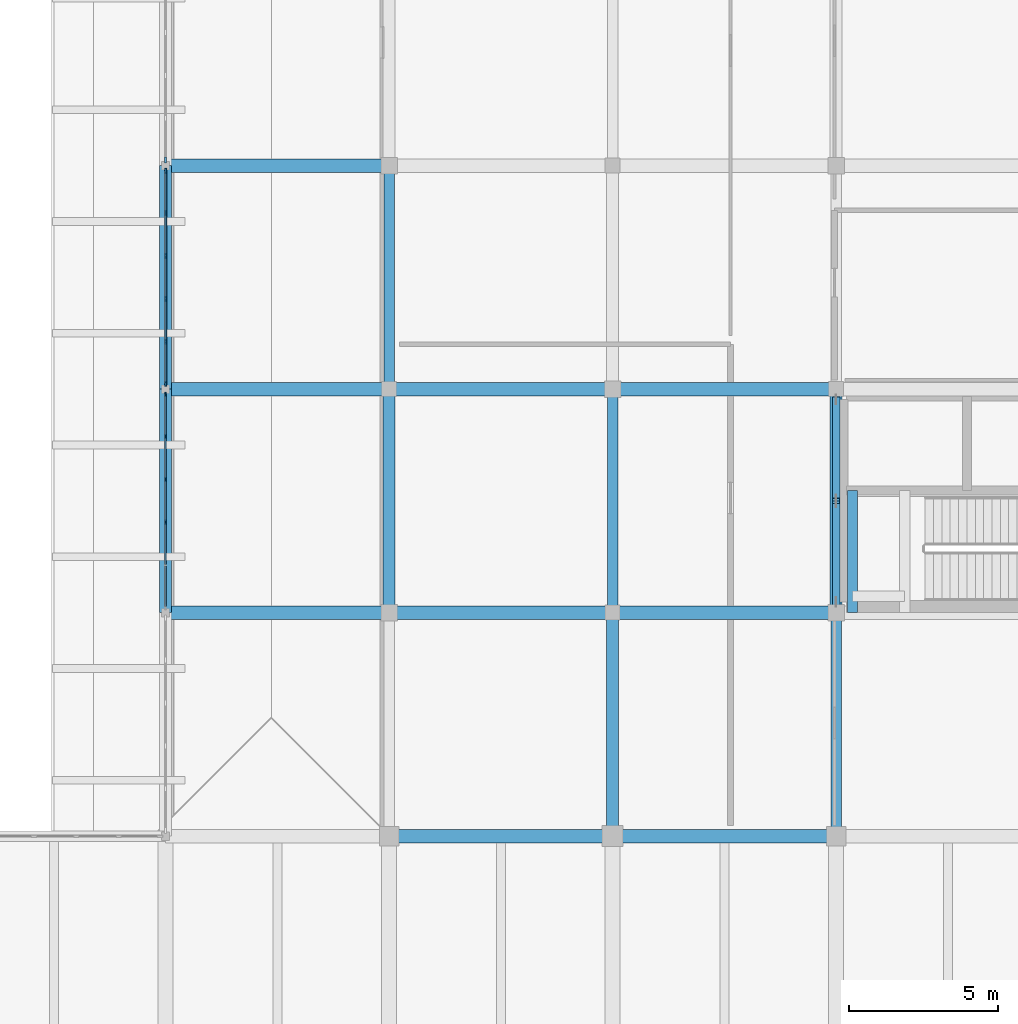
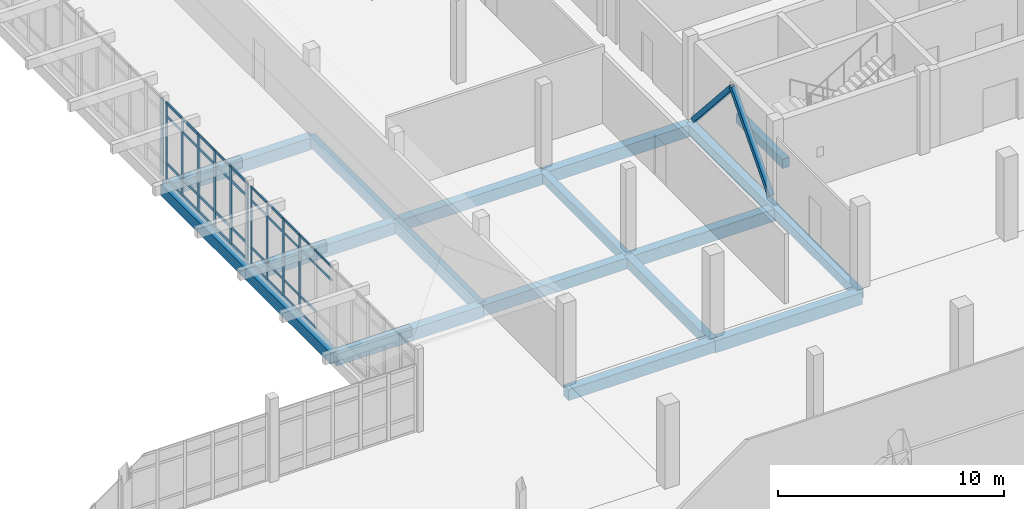
# One storey, part 61 of 128: 51 members, 18 beams, 3 elements without a shape of their own.
"""IFC4 building model written with IfcOpenShell, lengths in metres."""

from ifc_helpers import new_model, si_unit, direction, frame, origin, origin_2d, place, context, subcontext, project, spatial, rectangle, hollow_rectangle, extrude, material, layer, layer_set, material_profile, profile_set, type_object, element, aggregate, save


model = new_model("IFC4")

# Units and contexts
model_context = context("Model", 3, precision=1e-05, world=origin(), true_north=direction((0.0, 1.0)))
body_context = subcontext(model_context, "Body", "Model", "MODEL_VIEW")
ifc_project = project(units=[si_unit("LENGTHUNIT", "METRE"), si_unit("AREAUNIT", "SQUARE_METRE"), si_unit("VOLUMEUNIT", "CUBIC_METRE"), si_unit("PLANEANGLEUNIT", "RADIAN"), si_unit("MASSUNIT", "GRAM", prefix="KILO")], contexts=[model_context])

# Site, building, storey
site_placement = place(None, origin())
site = spatial("IfcSite", under=ifc_project, at=site_placement, CompositionType="ELEMENT")
building_placement = place(site_placement, origin())
building = spatial("IfcBuilding", under=site, at=building_placement, Name="Dalvernix Boulevard General Hospital", CompositionType="ELEMENT")
storey_placement = place(building_placement, frame((0.0, 0.0, 4.800048828125)))
storey = spatial("IfcBuildingStorey", under=building, at=storey_placement, Name="L01", CompositionType="ELEMENT", Elevation=4.800048828125)

# Beams
ifc_material_1 = material(Name="Concrete C35/45", Category="concrete")
ifc_material_profile_1 = material_profile(ifc_material_1, rectangle(XDim=0.449951171875, YDim=0.64990234375, at=origin_2d()), Name="RCB 450x650")
ifc_profile_set_1 = profile_set([ifc_material_profile_1], Name="Concrete C35/45")
beam_type_1 = type_object("IfcBeamType", Name="BM-B-03-I", PredefinedType="BEAM", material=ifc_profile_set_1)
for number, where, z_axis, x_axis, name in (
    (1, (150.0, 31.5, -0.625), (1.0, 0.0, 0.0), (0.0, 1.0, 0.0), "L01 E-W girder E:21-22"),
    (2, (135.0, 39.0, -0.625), (1.0, 0.0, 0.0), (0.0, 1.0, 0.0), "L01 E-W girder F:19-20"),
    (3, (150.0, 39.0, -0.625), (1.0, 0.0, 0.0), (0.0, 1.0, 0.0), "L01 E-W girder F:21-22"),
    (4, (135.0, 46.5, -0.625), (1.0, 0.0, 0.0), (0.0, 1.0, 0.0), "L01 E-W girder G:19-20"),
    (5, (150.0, 46.5, -0.625), (1.0, 0.0, 0.0), (0.0, 1.0, 0.0), "L01 E-W girder G:21-22"),
    (6, (135.0, 54.0, -0.625), (1.0, 0.0, 0.0), (0.0, 1.0, 0.0), "L01 E-W girder H:19-20"),
):
    element("IfcBeam", number, at=place(storey_placement, frame(where, z_axis=z_axis, x_axis=x_axis)), inside=storey, type_object=beam_type_1, Name=name, PredefinedType="BEAM", context=body_context, shape_type="SweptSolid", body=[
        extrude(rectangle(XDim=0.449951171875, YDim=0.64990234375, at=origin_2d()), origin(), (0.0, 0.0, 1.0), 7.5),
    ])
ifc_material_profile_2 = material_profile(ifc_material_1, rectangle(XDim=0.449951171875, YDim=0.60009765625, at=origin_2d()), Name="RCB 450x600")
ifc_profile_set_2 = profile_set([ifc_material_profile_2], Name="Concrete C35/45")
beam_type_2 = type_object("IfcBeamType", Name="BM-B-04-I", PredefinedType="BEAM", material=ifc_profile_set_2)
for number, where, z_axis, x_axis, name in (
    (7, (142.5, 31.5, -0.60009765625), (1.0, 0.0, 0.0), (0.0, 1.0, 0.0), "L01 E-W girder E:20-21"),
    (8, (142.5, 39.0, -0.60009765625), (1.0, 0.0, 0.0), (0.0, 1.0, 0.0), "L01 E-W girder F:20-21"),
    (9, (142.5, 46.5, -0.60009765625), (1.0, 0.0, 0.0), (0.0, 1.0, 0.0), "L01 E-W girder G:20-21"),
):
    element("IfcBeam", number, at=place(storey_placement, frame(where, z_axis=z_axis, x_axis=x_axis)), inside=storey, type_object=beam_type_2, Name=name, PredefinedType="BEAM", context=body_context, shape_type="SweptSolid", body=[
        extrude(rectangle(XDim=0.449951171875, YDim=0.60009765625, at=origin_2d()), origin(), (0.0, 0.0, 1.0), 7.5),
    ])
ifc_material_profile_3 = material_profile(ifc_material_1, rectangle(XDim=0.39990234375, YDim=0.550048828125, at=origin_2d()), Name="RCB 400x550")
ifc_profile_set_3 = profile_set([ifc_material_profile_3], Name="Concrete C35/45")
beam_type_3 = type_object("IfcBeamType", Name="BM-B-06-I", PredefinedType="BEAM", material=ifc_profile_set_3)
for number, where, z_axis, x_axis, name in (
    (10, (142.5, 39.0, -0.574951171875), (0.0, 1.0, 0.0), (-1.0, 0.0, 0.0), "L01 N-S girder 20:F-G"),
    (11, (150.0, 31.5, -0.574951171875), (0.0, 1.0, 0.0), (-1.0, 0.0, 0.0), "L01 N-S girder 21:E-F"),
    (12, (157.5, 39.0, -0.574951171875), (0.0, 1.0, 0.0), (-1.0, 0.0, 0.0), "L01 N-S girder 22:F-G"),
):
    element("IfcBeam", number, at=place(storey_placement, frame(where, z_axis=z_axis, x_axis=x_axis)), inside=storey, type_object=beam_type_3, Name=name, PredefinedType="BEAM", context=body_context, shape_type="SweptSolid", body=[
        extrude(rectangle(XDim=0.39990234375, YDim=0.550048828125, at=origin_2d()), origin(), (0.0, 0.0, 1.0), 7.5),
    ])
ifc_material_profile_4 = material_profile(ifc_material_1, rectangle(XDim=0.35009765625, YDim=0.5, at=origin_2d()), Name="RCB 350x500")
ifc_profile_set_4 = profile_set([ifc_material_profile_4], Name="Concrete C35/45")
beam_type_4 = type_object("IfcBeamType", Name="BM-B-08", PredefinedType="BEAM", material=ifc_profile_set_4)
beam_placement = place(storey_placement, frame((158.050048828125, 39.0, 1.800048828125), z_axis=(0.0, 1.0, 0.0), x_axis=(-1.0, 0.0, 0.0)))
element("IfcBeam", 13, at=beam_placement, inside=storey, type_object=beam_type_4, Name="L01 C6 stair half-landing beam 1", PredefinedType="BEAM", context=body_context, shape_type="SweptSolid", body=[
    extrude(rectangle(XDim=0.35009765625, YDim=0.5, at=origin_2d()), origin(), (0.0, 0.0, 1.0), 4.10009765625),
])
ifc_material_profile_5 = material_profile(ifc_material_1, rectangle(XDim=0.35009765625, YDim=0.5, at=origin_2d()), Name="RCB 350x500")
ifc_profile_set_5 = profile_set([ifc_material_profile_5], Name="Concrete C35/45")
beam_type_5 = type_object("IfcBeamType", Name="BM-B-08-I", PredefinedType="BEAM", material=ifc_profile_set_5)
for number, where, z_axis, x_axis, name in (
    (14, (142.5, 46.5, -0.550048828125), (0.0, 1.0, 0.0), (-1.0, 0.0, 0.0), "L01 N-S girder 20:G-H"),
    (15, (150.0, 39.0, -0.550048828125), (0.0, 1.0, 0.0), (-1.0, 0.0, 0.0), "L01 N-S girder 21:F-G"),
    (16, (157.5, 31.5, -0.550048828125), (0.0, 1.0, 0.0), (-1.0, 0.0, 0.0), "L01 N-S girder 22:E-F"),
):
    element("IfcBeam", number, at=place(storey_placement, frame(where, z_axis=z_axis, x_axis=x_axis)), inside=storey, type_object=beam_type_5, Name=name, PredefinedType="BEAM", context=body_context, shape_type="SweptSolid", body=[
        extrude(rectangle(XDim=0.35009765625, YDim=0.5, at=origin_2d()), origin(), (0.0, 0.0, 1.0), 7.5),
    ])
ifc_material_profile_6 = material_profile(ifc_material_1, rectangle(XDim=0.39990234375, YDim=0.60009765625, at=origin_2d()), Name="RCB 400x600")
ifc_profile_set_6 = profile_set([ifc_material_profile_6], Name="Concrete C35/45")
beam_type_6 = type_object("IfcBeamType", Name="BM-SB-02-E", PredefinedType="SPANDREL", material=ifc_profile_set_6)
for number, where, z_axis, x_axis, name in (
    (17, (135.0, 39.0, -0.60009765625), (0.0, 1.0, 0.0), (-1.0, 0.0, 0.0), "L01 N-S girder 19:F-G"),
    (18, (135.0, 46.5, -0.60009765625), (0.0, 1.0, 0.0), (-1.0, 0.0, 0.0), "L01 N-S girder 19:G-H"),
):
    element("IfcBeam", number, at=place(storey_placement, frame(where, z_axis=z_axis, x_axis=x_axis)), inside=storey, type_object=beam_type_6, Name=name, PredefinedType="SPANDREL", context=body_context, shape_type="SweptSolid", body=[
        extrude(rectangle(XDim=0.39990234375, YDim=0.60009765625, at=origin_2d()), origin(), (0.0, 0.0, 1.0), 7.5),
    ])

# Members
ifc_material_2 = material(Name="Steel S355", Category="steel")
ifc_material_profile_7 = material_profile(ifc_material_2, hollow_rectangle(XDim=0.25, YDim=0.25, WallThickness=0.012451171875, at=origin_2d()), Name="SHS 250x250x12.5")
ifc_profile_set_7 = profile_set([ifc_material_profile_7], Name="Steel S355")
member_type_1 = type_object("IfcMemberType", Name="MEM-BR-03", PredefinedType="BRACE", material=ifc_profile_set_7)
for number, where, z_axis, x_axis, name in (
    (19, (157.5, 39.35009765625, 0.0), (0.0, 0.663884349069, 0.747835256631), (-1.0, 0.0, 0.0), "L01 braced frame chevron 3A"),
    (20, (157.5, 46.14990234375, 0.0), (0.0, -0.663884349069, 0.747835256631), (1.0, 0.0, 0.0), "L01 braced frame chevron 3B"),
):
    element("IfcMember", number, at=place(storey_placement, frame(where, z_axis=z_axis, x_axis=x_axis)), inside=storey, type_object=member_type_1, Name=name, PredefinedType="BRACE", context=body_context, shape_type="SweptSolid", body=[
        extrude(hollow_rectangle(XDim=0.25, YDim=0.25, WallThickness=0.012451171875, at=origin_2d()), origin(), (0.0, 0.0, 1.0), 5.121337890625),
    ])

# Curtain wall, members
ifc_material_3 = material(Name="Thermally broken aluminium and solar-control glass curtain wall", Category="aluminium")
ifc_layer_1 = layer(ifc_material_3, 0.159912109375)
ifc_layer_set_1 = layer_set([ifc_layer_1], Name="Thermally broken aluminium and solar-control glass curtain wall (CW-CW-A-72x42)")
curtain_wall_type_1 = type_object("IfcCurtainWallType", Name="CW-CW-A-72x42", PredefinedType="USERDEFINED", material=ifc_layer_set_1)
curtain_wall_1_placement = place(storey_placement, origin())
curtain_wall_1 = element("IfcCurtainWall", 21, at=curtain_wall_1_placement, inside=storey, type_object=curtain_wall_type_1, Name="L01 curtain wall CW-A-72x42 18-5", ObjectType="GLAZED FACADE", PredefinedType="USERDEFINED")
ifc_material_4 = material(Name="Aluminium EN AW-6060", Category="aluminium")
ifc_material_profile_8 = material_profile(ifc_material_4, rectangle(XDim=0.06005859375, YDim=0.159912109375, at=origin_2d()), Name="ALU MULL 60x160")
ifc_profile_set_8 = profile_set([ifc_material_profile_8], Name="Aluminium EN AW-6060")
member_type_2 = type_object("IfcMemberType", Name="MEM-CW-M1", PredefinedType="MULLION", material=ifc_profile_set_8)
member_1_placement = place(storey_placement, frame((135.0, 42.030029296875, 0.0), z_axis=(0.0, 0.0, 1.0), x_axis=(-1.0, 0.0, 0.0)))
member_1 = element("IfcMember", 22, at=member_1_placement, type_object=member_type_2, Name="CW-A-72x42 mullion 3", PredefinedType="MULLION", context=body_context, shape_type="SweptSolid", body=[
    extrude(rectangle(XDim=0.06005859375, YDim=0.159912109375, at=origin_2d()), origin(), (0.0, 0.0, 1.0), 4.179931640625),
])
member_2_placement = place(storey_placement, frame((135.0, 43.469970703125, 0.0), z_axis=(0.0, 0.0, 1.0), x_axis=(-1.0, 0.0, 0.0)))
member_2 = element("IfcMember", 23, at=member_2_placement, type_object=member_type_2, Name="CW-A-72x42 mullion 4", PredefinedType="MULLION", context=body_context, shape_type="SweptSolid", body=[
    extrude(rectangle(XDim=0.06005859375, YDim=0.159912109375, at=origin_2d()), origin(), (0.0, 0.0, 1.0), 4.179931640625),
])
member_3_placement = place(storey_placement, frame((135.0, 44.909912109375, 0.0), z_axis=(0.0, 0.0, 1.0), x_axis=(-1.0, 0.0, 0.0)))
member_3 = element("IfcMember", 24, at=member_3_placement, type_object=member_type_2, Name="CW-A-72x42 mullion 5", PredefinedType="MULLION", context=body_context, shape_type="SweptSolid", body=[
    extrude(rectangle(XDim=0.06005859375, YDim=0.159912109375, at=origin_2d()), origin(), (0.0, 0.0, 1.0), 4.179931640625),
])
member_4_placement = place(storey_placement, frame((135.0, 46.320068359375, 0.0), z_axis=(0.0, 0.0, 1.0), x_axis=(-1.0, 0.0, 0.0)))
member_4 = element("IfcMember", 25, at=member_4_placement, type_object=member_type_2, Name="CW-A-72x42 mullion 6", PredefinedType="MULLION", context=body_context, shape_type="SweptSolid", body=[
    extrude(rectangle(XDim=0.06005859375, YDim=0.159912109375, at=origin_2d()), origin(), (0.0, 0.0, 1.0), 4.179931640625),
])

ifc_layer_2 = layer(ifc_material_3, 0.179931640625)
ifc_layer_set_2 = layer_set([ifc_layer_2], Name="Thermally broken aluminium and solar-control glass curtain wall (CW-CW-B-72x42)")
curtain_wall_type_2 = type_object("IfcCurtainWallType", Name="CW-CW-B-72x42", PredefinedType="USERDEFINED", material=ifc_layer_set_2)
curtain_wall_2_placement = place(storey_placement, origin())
curtain_wall_2 = element("IfcCurtainWall", 26, at=curtain_wall_2_placement, inside=storey, type_object=curtain_wall_type_2, Name="L01 curtain wall CW-B-72x42 18-6", ObjectType="GLAZED FACADE", PredefinedType="USERDEFINED")
ifc_material_profile_9 = material_profile(ifc_material_4, rectangle(XDim=0.06494140625, YDim=0.179931640625, at=origin_2d()), Name="ALU MULL 65x180")
ifc_profile_set_9 = profile_set([ifc_material_profile_9], Name="Aluminium EN AW-6060")
member_type_3 = type_object("IfcMemberType", Name="MEM-CW-M2", PredefinedType="MULLION", material=ifc_profile_set_9)
member_5_placement = place(storey_placement, frame((135.0, 46.6826171875, 0.0), z_axis=(0.0, 0.0, 1.0), x_axis=(-1.0, 0.0, 0.0)))
member_5 = element("IfcMember", 27, at=member_5_placement, type_object=member_type_3, Name="CW-B-72x42 mullion 1", PredefinedType="MULLION", context=body_context, shape_type="SweptSolid", body=[
    extrude(rectangle(XDim=0.06494140625, YDim=0.179931640625, at=origin_2d()), origin(), (0.0, 0.0, 1.0), 4.179931640625),
])
member_6_placement = place(storey_placement, frame((135.0, 48.090087890625, 0.0), z_axis=(0.0, 0.0, 1.0), x_axis=(-1.0, 0.0, 0.0)))
member_6 = element("IfcMember", 28, at=member_6_placement, type_object=member_type_3, Name="CW-B-72x42 mullion 2", PredefinedType="MULLION", context=body_context, shape_type="SweptSolid", body=[
    extrude(rectangle(XDim=0.06494140625, YDim=0.179931640625, at=origin_2d()), origin(), (0.0, 0.0, 1.0), 4.179931640625),
])
member_7_placement = place(storey_placement, frame((135.0, 49.530029296875, 0.0), z_axis=(0.0, 0.0, 1.0), x_axis=(-1.0, 0.0, 0.0)))
member_7 = element("IfcMember", 29, at=member_7_placement, type_object=member_type_3, Name="CW-B-72x42 mullion 3", PredefinedType="MULLION", context=body_context, shape_type="SweptSolid", body=[
    extrude(rectangle(XDim=0.06494140625, YDim=0.179931640625, at=origin_2d()), origin(), (0.0, 0.0, 1.0), 4.179931640625),
])
member_8_placement = place(storey_placement, frame((135.0, 50.969970703125, 0.0), z_axis=(0.0, 0.0, 1.0), x_axis=(-1.0, 0.0, 0.0)))
member_8 = element("IfcMember", 30, at=member_8_placement, type_object=member_type_3, Name="CW-B-72x42 mullion 4", PredefinedType="MULLION", context=body_context, shape_type="SweptSolid", body=[
    extrude(rectangle(XDim=0.06494140625, YDim=0.179931640625, at=origin_2d()), origin(), (0.0, 0.0, 1.0), 4.179931640625),
])
member_9_placement = place(storey_placement, frame((135.0, 52.409912109375, 0.0), z_axis=(0.0, 0.0, 1.0), x_axis=(-1.0, 0.0, 0.0)))
member_9 = element("IfcMember", 31, at=member_9_placement, type_object=member_type_3, Name="CW-B-72x42 mullion 5", PredefinedType="MULLION", context=body_context, shape_type="SweptSolid", body=[
    extrude(rectangle(XDim=0.06494140625, YDim=0.179931640625, at=origin_2d()), origin(), (0.0, 0.0, 1.0), 4.179931640625),
])
member_10_placement = place(storey_placement, frame((135.0, 53.8173828125, 0.0), z_axis=(0.0, 0.0, 1.0), x_axis=(-1.0, 0.0, 0.0)))
member_10 = element("IfcMember", 32, at=member_10_placement, type_object=member_type_3, Name="CW-B-72x42 mullion 6", PredefinedType="MULLION", context=body_context, shape_type="SweptSolid", body=[
    extrude(rectangle(XDim=0.06494140625, YDim=0.179931640625, at=origin_2d()), origin(), (0.0, 0.0, 1.0), 4.179931640625),
])

# Curtain wall, member
ifc_layer_3 = layer(ifc_material_3, 0.199951171875)
ifc_layer_set_3 = layer_set([ifc_layer_3], Name="Thermally broken aluminium and solar-control glass curtain wall (CW-CW-C-72x42)")
curtain_wall_type_3 = type_object("IfcCurtainWallType", Name="CW-CW-C-72x42", PredefinedType="USERDEFINED", material=ifc_layer_set_3)
curtain_wall_3_placement = place(storey_placement, origin())
curtain_wall_3 = element("IfcCurtainWall", 33, at=curtain_wall_3_placement, inside=storey, type_object=curtain_wall_type_3, Name="L01 curtain wall CW-C-72x42 18-7", ObjectType="GLAZED FACADE", PredefinedType="USERDEFINED")
ifc_material_profile_10 = material_profile(ifc_material_4, rectangle(XDim=0.070068359375, YDim=0.199951171875, at=origin_2d()), Name="ALU MULL 70x200")
ifc_profile_set_10 = profile_set([ifc_material_profile_10], Name="Aluminium EN AW-6060")
member_type_4 = type_object("IfcMemberType", Name="MEM-CW-M3", PredefinedType="MULLION", material=ifc_profile_set_10)
member_11_placement = place(storey_placement, frame((135.0, 54.18505859375, 0.0), z_axis=(0.0, 0.0, 1.0), x_axis=(-1.0, 0.0, 0.0)))
member_11 = element("IfcMember", 34, at=member_11_placement, type_object=member_type_4, Name="CW-C-72x42 mullion 1", PredefinedType="MULLION", context=body_context, shape_type="SweptSolid", body=[
    extrude(rectangle(XDim=0.070068359375, YDim=0.199951171875, at=origin_2d()), origin(), (0.0, 0.0, 1.0), 4.179931640625),
])
aggregate(curtain_wall_3, [member_11])

# Member
ifc_material_profile_11 = material_profile(ifc_material_4, rectangle(XDim=0.06005859375, YDim=0.1201171875, at=origin_2d()), Name="ALU TRAN 60x120")
ifc_profile_set_11 = profile_set([ifc_material_profile_11], Name="Aluminium EN AW-6060")
member_type_5 = type_object("IfcMemberType", Name="MEM-CW-T1", PredefinedType="USERDEFINED", material=ifc_profile_set_11)
member_12_placement = place(storey_placement, frame((135.0, 39.2099609375, 3.429931640625), z_axis=(0.0, 1.0, 0.0), x_axis=(-1.0, 0.0, 0.0)))
member_12 = element("IfcMember", 35, at=member_12_placement, type_object=member_type_5, Name="CW-A-72x42 transom 1.3", ObjectType="TRANSOM", PredefinedType="USERDEFINED", context=body_context, shape_type="SweptSolid", body=[
    extrude(rectangle(XDim=0.06005859375, YDim=0.1201171875, at=origin_2d()), origin(), (0.0, 0.0, 1.0), 1.35009765625),
])

member_13_placement = place(storey_placement, frame((135.0, 39.2099609375, 4.14990234375), z_axis=(0.0, 1.0, 0.0), x_axis=(-1.0, 0.0, 0.0)))
member_13 = element("IfcMember", 36, at=member_13_placement, type_object=member_type_5, Name="CW-A-72x42 transom 1.4", ObjectType="TRANSOM", PredefinedType="USERDEFINED", context=body_context, shape_type="SweptSolid", body=[
    extrude(rectangle(XDim=0.06005859375, YDim=0.1201171875, at=origin_2d()), origin(), (0.0, 0.0, 1.0), 1.35009765625),
])

member_14_placement = place(storey_placement, frame((135.0, 40.6201171875, 0.030029296875), z_axis=(0.0, 1.0, 0.0), x_axis=(-1.0, 0.0, 0.0)))
member_14 = element("IfcMember", 37, at=member_14_placement, type_object=member_type_5, Name="CW-A-72x42 transom 2.1", ObjectType="TRANSOM", PredefinedType="USERDEFINED", context=body_context, shape_type="SweptSolid", body=[
    extrude(rectangle(XDim=0.06005859375, YDim=0.1201171875, at=origin_2d()), origin(), (0.0, 0.0, 1.0), 1.3798828125),
])

member_15_placement = place(storey_placement, frame((135.0, 40.6201171875, 0.89990234375), z_axis=(0.0, 1.0, 0.0), x_axis=(-1.0, 0.0, 0.0)))
member_15 = element("IfcMember", 38, at=member_15_placement, type_object=member_type_5, Name="CW-A-72x42 transom 2.2", ObjectType="TRANSOM", PredefinedType="USERDEFINED", context=body_context, shape_type="SweptSolid", body=[
    extrude(rectangle(XDim=0.06005859375, YDim=0.1201171875, at=origin_2d()), origin(), (0.0, 0.0, 1.0), 1.3798828125),
])

member_16_placement = place(storey_placement, frame((135.0, 40.6201171875, 3.429931640625), z_axis=(0.0, 1.0, 0.0), x_axis=(-1.0, 0.0, 0.0)))
member_16 = element("IfcMember", 39, at=member_16_placement, type_object=member_type_5, Name="CW-A-72x42 transom 2.3", ObjectType="TRANSOM", PredefinedType="USERDEFINED", context=body_context, shape_type="SweptSolid", body=[
    extrude(rectangle(XDim=0.06005859375, YDim=0.1201171875, at=origin_2d()), origin(), (0.0, 0.0, 1.0), 1.3798828125),
])

member_17_placement = place(storey_placement, frame((135.0, 40.6201171875, 4.14990234375), z_axis=(0.0, 1.0, 0.0), x_axis=(-1.0, 0.0, 0.0)))
member_17 = element("IfcMember", 40, at=member_17_placement, type_object=member_type_5, Name="CW-A-72x42 transom 2.4", ObjectType="TRANSOM", PredefinedType="USERDEFINED", context=body_context, shape_type="SweptSolid", body=[
    extrude(rectangle(XDim=0.06005859375, YDim=0.1201171875, at=origin_2d()), origin(), (0.0, 0.0, 1.0), 1.3798828125),
])

member_18_placement = place(storey_placement, frame((135.0, 42.06005859375, 0.030029296875), z_axis=(0.0, 1.0, 0.0), x_axis=(-1.0, 0.0, 0.0)))
member_18 = element("IfcMember", 41, at=member_18_placement, type_object=member_type_5, Name="CW-A-72x42 transom 3.1", ObjectType="TRANSOM", PredefinedType="USERDEFINED", context=body_context, shape_type="SweptSolid", body=[
    extrude(rectangle(XDim=0.06005859375, YDim=0.1201171875, at=origin_2d()), origin(), (0.0, 0.0, 1.0), 1.3798828125),
])

member_19_placement = place(storey_placement, frame((135.0, 42.06005859375, 0.89990234375), z_axis=(0.0, 1.0, 0.0), x_axis=(-1.0, 0.0, 0.0)))
member_19 = element("IfcMember", 42, at=member_19_placement, type_object=member_type_5, Name="CW-A-72x42 transom 3.2", ObjectType="TRANSOM", PredefinedType="USERDEFINED", context=body_context, shape_type="SweptSolid", body=[
    extrude(rectangle(XDim=0.06005859375, YDim=0.1201171875, at=origin_2d()), origin(), (0.0, 0.0, 1.0), 1.3798828125),
])

member_20_placement = place(storey_placement, frame((135.0, 42.06005859375, 3.429931640625), z_axis=(0.0, 1.0, 0.0), x_axis=(-1.0, 0.0, 0.0)))
member_20 = element("IfcMember", 43, at=member_20_placement, type_object=member_type_5, Name="CW-A-72x42 transom 3.3", ObjectType="TRANSOM", PredefinedType="USERDEFINED", context=body_context, shape_type="SweptSolid", body=[
    extrude(rectangle(XDim=0.06005859375, YDim=0.1201171875, at=origin_2d()), origin(), (0.0, 0.0, 1.0), 1.3798828125),
])

member_21_placement = place(storey_placement, frame((135.0, 42.06005859375, 4.14990234375), z_axis=(0.0, 1.0, 0.0), x_axis=(-1.0, 0.0, 0.0)))
member_21 = element("IfcMember", 44, at=member_21_placement, type_object=member_type_5, Name="CW-A-72x42 transom 3.4", ObjectType="TRANSOM", PredefinedType="USERDEFINED", context=body_context, shape_type="SweptSolid", body=[
    extrude(rectangle(XDim=0.06005859375, YDim=0.1201171875, at=origin_2d()), origin(), (0.0, 0.0, 1.0), 1.3798828125),
])

member_22_placement = place(storey_placement, frame((135.0, 43.5, 0.030029296875), z_axis=(0.0, 1.0, 0.0), x_axis=(-1.0, 0.0, 0.0)))
member_22 = element("IfcMember", 45, at=member_22_placement, type_object=member_type_5, Name="CW-A-72x42 transom 4.1", ObjectType="TRANSOM", PredefinedType="USERDEFINED", context=body_context, shape_type="SweptSolid", body=[
    extrude(rectangle(XDim=0.06005859375, YDim=0.1201171875, at=origin_2d()), origin(), (0.0, 0.0, 1.0), 1.3798828125),
])

member_23_placement = place(storey_placement, frame((135.0, 43.5, 0.89990234375), z_axis=(0.0, 1.0, 0.0), x_axis=(-1.0, 0.0, 0.0)))
member_23 = element("IfcMember", 46, at=member_23_placement, type_object=member_type_5, Name="CW-A-72x42 transom 4.2", ObjectType="TRANSOM", PredefinedType="USERDEFINED", context=body_context, shape_type="SweptSolid", body=[
    extrude(rectangle(XDim=0.06005859375, YDim=0.1201171875, at=origin_2d()), origin(), (0.0, 0.0, 1.0), 1.3798828125),
])

member_24_placement = place(storey_placement, frame((135.0, 43.5, 3.429931640625), z_axis=(0.0, 1.0, 0.0), x_axis=(-1.0, 0.0, 0.0)))
member_24 = element("IfcMember", 47, at=member_24_placement, type_object=member_type_5, Name="CW-A-72x42 transom 4.3", ObjectType="TRANSOM", PredefinedType="USERDEFINED", context=body_context, shape_type="SweptSolid", body=[
    extrude(rectangle(XDim=0.06005859375, YDim=0.1201171875, at=origin_2d()), origin(), (0.0, 0.0, 1.0), 1.3798828125),
])

member_25_placement = place(storey_placement, frame((135.0, 43.5, 4.14990234375), z_axis=(0.0, 1.0, 0.0), x_axis=(-1.0, 0.0, 0.0)))
member_25 = element("IfcMember", 48, at=member_25_placement, type_object=member_type_5, Name="CW-A-72x42 transom 4.4", ObjectType="TRANSOM", PredefinedType="USERDEFINED", context=body_context, shape_type="SweptSolid", body=[
    extrude(rectangle(XDim=0.06005859375, YDim=0.1201171875, at=origin_2d()), origin(), (0.0, 0.0, 1.0), 1.3798828125),
])

member_26_placement = place(storey_placement, frame((135.0, 44.93994140625, 0.030029296875), z_axis=(0.0, 1.0, 0.0), x_axis=(-1.0, 0.0, 0.0)))
member_26 = element("IfcMember", 49, at=member_26_placement, type_object=member_type_5, Name="CW-A-72x42 transom 5.1", ObjectType="TRANSOM", PredefinedType="USERDEFINED", context=body_context, shape_type="SweptSolid", body=[
    extrude(rectangle(XDim=0.06005859375, YDim=0.1201171875, at=origin_2d()), origin(), (0.0, 0.0, 1.0), 1.35009765625),
])

member_27_placement = place(storey_placement, frame((135.0, 44.93994140625, 0.89990234375), z_axis=(0.0, 1.0, 0.0), x_axis=(-1.0, 0.0, 0.0)))
member_27 = element("IfcMember", 50, at=member_27_placement, type_object=member_type_5, Name="CW-A-72x42 transom 5.2", ObjectType="TRANSOM", PredefinedType="USERDEFINED", context=body_context, shape_type="SweptSolid", body=[
    extrude(rectangle(XDim=0.06005859375, YDim=0.1201171875, at=origin_2d()), origin(), (0.0, 0.0, 1.0), 1.35009765625),
])

member_28_placement = place(storey_placement, frame((135.0, 44.93994140625, 3.429931640625), z_axis=(0.0, 1.0, 0.0), x_axis=(-1.0, 0.0, 0.0)))
member_28 = element("IfcMember", 51, at=member_28_placement, type_object=member_type_5, Name="CW-A-72x42 transom 5.3", ObjectType="TRANSOM", PredefinedType="USERDEFINED", context=body_context, shape_type="SweptSolid", body=[
    extrude(rectangle(XDim=0.06005859375, YDim=0.1201171875, at=origin_2d()), origin(), (0.0, 0.0, 1.0), 1.35009765625),
])

member_29_placement = place(storey_placement, frame((135.0, 44.93994140625, 4.14990234375), z_axis=(0.0, 1.0, 0.0), x_axis=(-1.0, 0.0, 0.0)))
member_29 = element("IfcMember", 52, at=member_29_placement, type_object=member_type_5, Name="CW-A-72x42 transom 5.4", ObjectType="TRANSOM", PredefinedType="USERDEFINED", context=body_context, shape_type="SweptSolid", body=[
    extrude(rectangle(XDim=0.06005859375, YDim=0.1201171875, at=origin_2d()), origin(), (0.0, 0.0, 1.0), 1.35009765625),
])

aggregate(curtain_wall_1, [member_1, member_2, member_3, member_4, member_12, member_13, member_14, member_15, member_16, member_17, member_18, member_19, member_20, member_21, member_22, member_23, member_24, member_25, member_26, member_27, member_28, member_29])

ifc_material_profile_12 = material_profile(ifc_material_4, rectangle(XDim=0.06494140625, YDim=0.139892578125, at=origin_2d()), Name="ALU TRAN 65x140")
ifc_profile_set_12 = profile_set([ifc_material_profile_12], Name="Aluminium EN AW-6060")
member_type_6 = type_object("IfcMemberType", Name="MEM-CW-T2", PredefinedType="USERDEFINED", material=ifc_profile_set_12)
member_30_placement = place(storey_placement, frame((135.0, 46.715087890625, 0.032470703125), z_axis=(0.0, 1.0, 0.0), x_axis=(-1.0, 0.0, 0.0)))
member_30 = element("IfcMember", 53, at=member_30_placement, type_object=member_type_6, Name="CW-B-72x42 transom 1.1", ObjectType="TRANSOM", PredefinedType="USERDEFINED", context=body_context, shape_type="SweptSolid", body=[
    extrude(rectangle(XDim=0.06494140625, YDim=0.139892578125, at=origin_2d()), origin(), (0.0, 0.0, 1.0), 1.342529296875),
])

member_31_placement = place(storey_placement, frame((135.0, 46.715087890625, 0.89990234375), z_axis=(0.0, 1.0, 0.0), x_axis=(-1.0, 0.0, 0.0)))
member_31 = element("IfcMember", 54, at=member_31_placement, type_object=member_type_6, Name="CW-B-72x42 transom 1.2", ObjectType="TRANSOM", PredefinedType="USERDEFINED", context=body_context, shape_type="SweptSolid", body=[
    extrude(rectangle(XDim=0.06494140625, YDim=0.139892578125, at=origin_2d()), origin(), (0.0, 0.0, 1.0), 1.342529296875),
])

member_32_placement = place(storey_placement, frame((135.0, 46.715087890625, 3.429931640625), z_axis=(0.0, 1.0, 0.0), x_axis=(-1.0, 0.0, 0.0)))
member_32 = element("IfcMember", 55, at=member_32_placement, type_object=member_type_6, Name="CW-B-72x42 transom 1.3", ObjectType="TRANSOM", PredefinedType="USERDEFINED", context=body_context, shape_type="SweptSolid", body=[
    extrude(rectangle(XDim=0.06494140625, YDim=0.139892578125, at=origin_2d()), origin(), (0.0, 0.0, 1.0), 1.342529296875),
])

member_33_placement = place(storey_placement, frame((135.0, 46.715087890625, 4.1474609375), z_axis=(0.0, 1.0, 0.0), x_axis=(-1.0, 0.0, 0.0)))
member_33 = element("IfcMember", 56, at=member_33_placement, type_object=member_type_6, Name="CW-B-72x42 transom 1.4", ObjectType="TRANSOM", PredefinedType="USERDEFINED", context=body_context, shape_type="SweptSolid", body=[
    extrude(rectangle(XDim=0.06494140625, YDim=0.139892578125, at=origin_2d()), origin(), (0.0, 0.0, 1.0), 1.342529296875),
])

member_34_placement = place(storey_placement, frame((135.0, 48.12255859375, 0.032470703125), z_axis=(0.0, 1.0, 0.0), x_axis=(-1.0, 0.0, 0.0)))
member_34 = element("IfcMember", 57, at=member_34_placement, type_object=member_type_6, Name="CW-B-72x42 transom 2.1", ObjectType="TRANSOM", PredefinedType="USERDEFINED", context=body_context, shape_type="SweptSolid", body=[
    extrude(rectangle(XDim=0.06494140625, YDim=0.139892578125, at=origin_2d()), origin(), (0.0, 0.0, 1.0), 1.375),
])

member_35_placement = place(storey_placement, frame((135.0, 48.12255859375, 0.89990234375), z_axis=(0.0, 1.0, 0.0), x_axis=(-1.0, 0.0, 0.0)))
member_35 = element("IfcMember", 58, at=member_35_placement, type_object=member_type_6, Name="CW-B-72x42 transom 2.2", ObjectType="TRANSOM", PredefinedType="USERDEFINED", context=body_context, shape_type="SweptSolid", body=[
    extrude(rectangle(XDim=0.06494140625, YDim=0.139892578125, at=origin_2d()), origin(), (0.0, 0.0, 1.0), 1.375),
])

member_36_placement = place(storey_placement, frame((135.0, 48.12255859375, 3.429931640625), z_axis=(0.0, 1.0, 0.0), x_axis=(-1.0, 0.0, 0.0)))
member_36 = element("IfcMember", 59, at=member_36_placement, type_object=member_type_6, Name="CW-B-72x42 transom 2.3", ObjectType="TRANSOM", PredefinedType="USERDEFINED", context=body_context, shape_type="SweptSolid", body=[
    extrude(rectangle(XDim=0.06494140625, YDim=0.139892578125, at=origin_2d()), origin(), (0.0, 0.0, 1.0), 1.375),
])

member_37_placement = place(storey_placement, frame((135.0, 48.12255859375, 4.1474609375), z_axis=(0.0, 1.0, 0.0), x_axis=(-1.0, 0.0, 0.0)))
member_37 = element("IfcMember", 60, at=member_37_placement, type_object=member_type_6, Name="CW-B-72x42 transom 2.4", ObjectType="TRANSOM", PredefinedType="USERDEFINED", context=body_context, shape_type="SweptSolid", body=[
    extrude(rectangle(XDim=0.06494140625, YDim=0.139892578125, at=origin_2d()), origin(), (0.0, 0.0, 1.0), 1.375),
])

member_38_placement = place(storey_placement, frame((135.0, 49.5625, 0.032470703125), z_axis=(0.0, 1.0, 0.0), x_axis=(-1.0, 0.0, 0.0)))
member_38 = element("IfcMember", 61, at=member_38_placement, type_object=member_type_6, Name="CW-B-72x42 transom 3.1", ObjectType="TRANSOM", PredefinedType="USERDEFINED", context=body_context, shape_type="SweptSolid", body=[
    extrude(rectangle(XDim=0.06494140625, YDim=0.139892578125, at=origin_2d()), origin(), (0.0, 0.0, 1.0), 1.375),
])

member_39_placement = place(storey_placement, frame((135.0, 49.5625, 0.89990234375), z_axis=(0.0, 1.0, 0.0), x_axis=(-1.0, 0.0, 0.0)))
member_39 = element("IfcMember", 62, at=member_39_placement, type_object=member_type_6, Name="CW-B-72x42 transom 3.2", ObjectType="TRANSOM", PredefinedType="USERDEFINED", context=body_context, shape_type="SweptSolid", body=[
    extrude(rectangle(XDim=0.06494140625, YDim=0.139892578125, at=origin_2d()), origin(), (0.0, 0.0, 1.0), 1.375),
])

member_40_placement = place(storey_placement, frame((135.0, 49.5625, 3.429931640625), z_axis=(0.0, 1.0, 0.0), x_axis=(-1.0, 0.0, 0.0)))
member_40 = element("IfcMember", 63, at=member_40_placement, type_object=member_type_6, Name="CW-B-72x42 transom 3.3", ObjectType="TRANSOM", PredefinedType="USERDEFINED", context=body_context, shape_type="SweptSolid", body=[
    extrude(rectangle(XDim=0.06494140625, YDim=0.139892578125, at=origin_2d()), origin(), (0.0, 0.0, 1.0), 1.375),
])

member_41_placement = place(storey_placement, frame((135.0, 49.5625, 4.1474609375), z_axis=(0.0, 1.0, 0.0), x_axis=(-1.0, 0.0, 0.0)))
member_41 = element("IfcMember", 64, at=member_41_placement, type_object=member_type_6, Name="CW-B-72x42 transom 3.4", ObjectType="TRANSOM", PredefinedType="USERDEFINED", context=body_context, shape_type="SweptSolid", body=[
    extrude(rectangle(XDim=0.06494140625, YDim=0.139892578125, at=origin_2d()), origin(), (0.0, 0.0, 1.0), 1.375),
])

member_42_placement = place(storey_placement, frame((135.0, 51.00244140625, 0.032470703125), z_axis=(0.0, 1.0, 0.0), x_axis=(-1.0, 0.0, 0.0)))
member_42 = element("IfcMember", 65, at=member_42_placement, type_object=member_type_6, Name="CW-B-72x42 transom 4.1", ObjectType="TRANSOM", PredefinedType="USERDEFINED", context=body_context, shape_type="SweptSolid", body=[
    extrude(rectangle(XDim=0.06494140625, YDim=0.139892578125, at=origin_2d()), origin(), (0.0, 0.0, 1.0), 1.375),
])

member_43_placement = place(storey_placement, frame((135.0, 51.00244140625, 0.89990234375), z_axis=(0.0, 1.0, 0.0), x_axis=(-1.0, 0.0, 0.0)))
member_43 = element("IfcMember", 66, at=member_43_placement, type_object=member_type_6, Name="CW-B-72x42 transom 4.2", ObjectType="TRANSOM", PredefinedType="USERDEFINED", context=body_context, shape_type="SweptSolid", body=[
    extrude(rectangle(XDim=0.06494140625, YDim=0.139892578125, at=origin_2d()), origin(), (0.0, 0.0, 1.0), 1.375),
])

member_44_placement = place(storey_placement, frame((135.0, 51.00244140625, 3.429931640625), z_axis=(0.0, 1.0, 0.0), x_axis=(-1.0, 0.0, 0.0)))
member_44 = element("IfcMember", 67, at=member_44_placement, type_object=member_type_6, Name="CW-B-72x42 transom 4.3", ObjectType="TRANSOM", PredefinedType="USERDEFINED", context=body_context, shape_type="SweptSolid", body=[
    extrude(rectangle(XDim=0.06494140625, YDim=0.139892578125, at=origin_2d()), origin(), (0.0, 0.0, 1.0), 1.375),
])

member_45_placement = place(storey_placement, frame((135.0, 51.00244140625, 4.1474609375), z_axis=(0.0, 1.0, 0.0), x_axis=(-1.0, 0.0, 0.0)))
member_45 = element("IfcMember", 68, at=member_45_placement, type_object=member_type_6, Name="CW-B-72x42 transom 4.4", ObjectType="TRANSOM", PredefinedType="USERDEFINED", context=body_context, shape_type="SweptSolid", body=[
    extrude(rectangle(XDim=0.06494140625, YDim=0.139892578125, at=origin_2d()), origin(), (0.0, 0.0, 1.0), 1.375),
])

member_46_placement = place(storey_placement, frame((135.0, 52.4423828125, 0.032470703125), z_axis=(0.0, 1.0, 0.0), x_axis=(-1.0, 0.0, 0.0)))
member_46 = element("IfcMember", 69, at=member_46_placement, type_object=member_type_6, Name="CW-B-72x42 transom 5.1", ObjectType="TRANSOM", PredefinedType="USERDEFINED", context=body_context, shape_type="SweptSolid", body=[
    extrude(rectangle(XDim=0.06494140625, YDim=0.139892578125, at=origin_2d()), origin(), (0.0, 0.0, 1.0), 1.342529296875),
])

member_47_placement = place(storey_placement, frame((135.0, 52.4423828125, 0.89990234375), z_axis=(0.0, 1.0, 0.0), x_axis=(-1.0, 0.0, 0.0)))
member_47 = element("IfcMember", 70, at=member_47_placement, type_object=member_type_6, Name="CW-B-72x42 transom 5.2", ObjectType="TRANSOM", PredefinedType="USERDEFINED", context=body_context, shape_type="SweptSolid", body=[
    extrude(rectangle(XDim=0.06494140625, YDim=0.139892578125, at=origin_2d()), origin(), (0.0, 0.0, 1.0), 1.342529296875),
])

member_48_placement = place(storey_placement, frame((135.0, 52.4423828125, 3.429931640625), z_axis=(0.0, 1.0, 0.0), x_axis=(-1.0, 0.0, 0.0)))
member_48 = element("IfcMember", 71, at=member_48_placement, type_object=member_type_6, Name="CW-B-72x42 transom 5.3", ObjectType="TRANSOM", PredefinedType="USERDEFINED", context=body_context, shape_type="SweptSolid", body=[
    extrude(rectangle(XDim=0.06494140625, YDim=0.139892578125, at=origin_2d()), origin(), (0.0, 0.0, 1.0), 1.342529296875),
])

member_49_placement = place(storey_placement, frame((135.0, 52.4423828125, 4.1474609375), z_axis=(0.0, 1.0, 0.0), x_axis=(-1.0, 0.0, 0.0)))
member_49 = element("IfcMember", 72, at=member_49_placement, type_object=member_type_6, Name="CW-B-72x42 transom 5.4", ObjectType="TRANSOM", PredefinedType="USERDEFINED", context=body_context, shape_type="SweptSolid", body=[
    extrude(rectangle(XDim=0.06494140625, YDim=0.139892578125, at=origin_2d()), origin(), (0.0, 0.0, 1.0), 1.342529296875),
])

aggregate(curtain_wall_2, [member_5, member_6, member_7, member_8, member_9, member_10, member_30, member_31, member_32, member_33, member_34, member_35, member_36, member_37, member_38, member_39, member_40, member_41, member_42, member_43, member_44, member_45, member_46, member_47, member_48, member_49])

save(model, "model.ifc")
